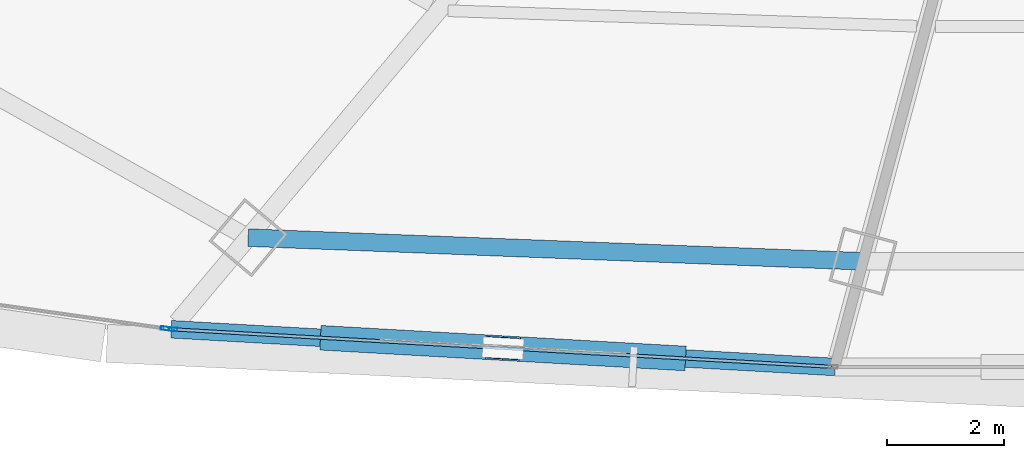
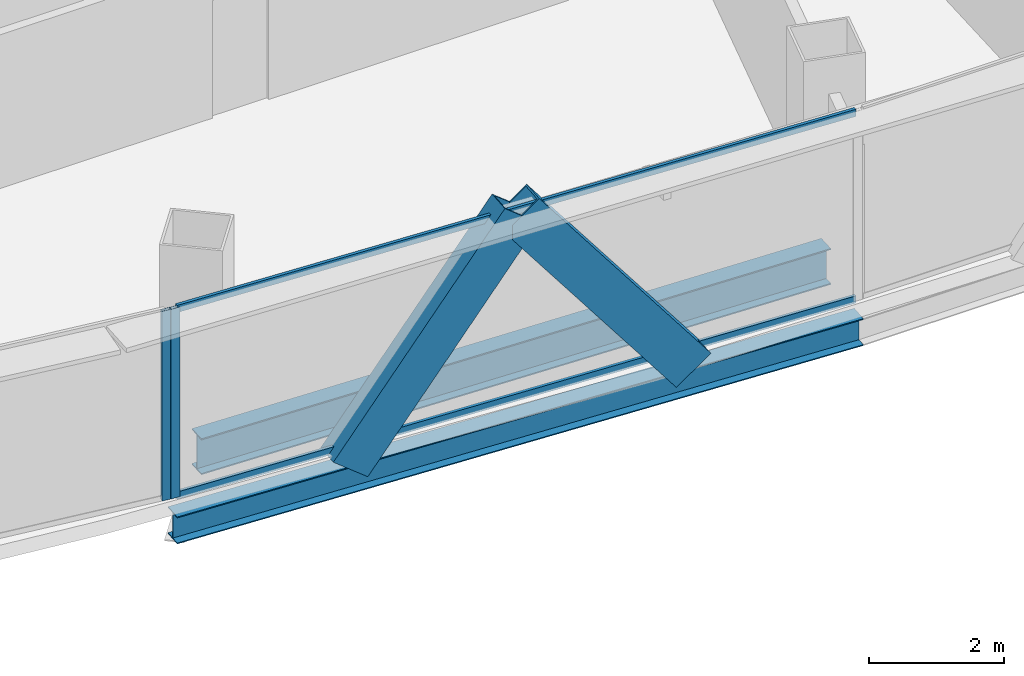
# One storey, part 6 of 42: 6 members, 2 beams, 2 elements without a shape of their own.
"""IFC4 building model written with IfcOpenShell, lengths in metres."""

from ifc_helpers import new_model, si_unit, direction, frame, origin, origin_2d, place, context, subcontext, project, spatial, hollow_rectangle, i_section, extrude, source, transform, mapped, material, layer, layer_set, material_profile, profile_set, type_object, element, aggregate, save


model = new_model("IFC4")

# Units and contexts
model_context = context("Model", 3, precision=1e-05, world=origin(), true_north=direction((0.0, 1.0)))
body_context = subcontext(model_context, "Body", "Model", "MODEL_VIEW")
ifc_project = project(units=[si_unit("LENGTHUNIT", "METRE"), si_unit("AREAUNIT", "SQUARE_METRE"), si_unit("VOLUMEUNIT", "CUBIC_METRE"), si_unit("PLANEANGLEUNIT", "RADIAN"), si_unit("MASSUNIT", "GRAM", prefix="KILO"), si_unit("THERMODYNAMICTEMPERATUREUNIT", "KELVIN"), si_unit("POWERUNIT", "WATT")], contexts=[model_context])

# Site, building, storey
site_placement = place(None, origin())
site = spatial("IfcSite", under=ifc_project, at=site_placement, CompositionType="ELEMENT")
building_placement = place(site_placement, origin())
building = spatial("IfcBuilding", under=site, at=building_placement, Name="Yunzhuo Pagoda Commons", CompositionType="ELEMENT")
storey_placement = place(building_placement, frame((0.0, 0.0, 133.510009765625)))
storey = spatial("IfcBuildingStorey", under=building, at=storey_placement, Name="L33", CompositionType="ELEMENT", Elevation=133.510009765625)

# Beams
ifc_material_1 = material(Name="Structural steel Q355B", Category="steel")
ifc_material_profile_1 = material_profile(ifc_material_1, i_section(OverallWidth=0.300048828125, OverallDepth=0.488037109375, WebThickness=0.010986328125, FlangeThickness=0.01806640625, at=origin_2d()), Name="Structural steel Q355B")
ifc_profile_set_1 = profile_set([ifc_material_profile_1], Name="Structural steel Q355B")
beam_type_1 = type_object("IfcBeamType", Name="B-SP1 Beam HM 488x300x11x18", PredefinedType="BEAM", material=ifc_profile_set_1)
shared_shape_1 = source(origin(), body_context, "Body", "SweptSolid", [
    extrude(i_section(OverallWidth=0.300048828125, OverallDepth=0.488037109375, WebThickness=0.010986328125, FlangeThickness=0.01806640625, at=origin_2d()), origin(), (0.0, 0.0, 1.0), 11.34814453125),
])
beam_1_placement = place(storey_placement, frame((31.101806640625, 13.561279296875, -0.503662109375), z_axis=(0.998390672401, -0.056710362929, 0.0), x_axis=(0.056710362929, 0.998390672401, 0.0)))
element("IfcBeam", 1, at=beam_1_placement, inside=storey, type_object=beam_type_1, Name="L33 facade edge spandrel beam F1.1", PredefinedType="BEAM", context=body_context, shape_type="MappedRepresentation", body=[
    mapped(shared_shape_1, transform((0.0, 0.0, 0.0), scale=1.0)),
])
ifc_material_profile_2 = material_profile(ifc_material_1, i_section(OverallWidth=0.300048828125, OverallDepth=0.64990234375, WebThickness=0.012939453125, FlangeThickness=0.02197265625, at=origin_2d()), Name="Structural steel Q355B")
ifc_profile_set_2 = profile_set([ifc_material_profile_2], Name="Structural steel Q355B")
beam_type_2 = type_object("IfcBeamType", Name="B-RG2 Beam HN 650x300x13x22", PredefinedType="BEAM", material=ifc_profile_set_2)
shared_shape_2 = source(origin(), body_context, "Body", "SweptSolid", [
    extrude(i_section(OverallWidth=0.300048828125, OverallDepth=0.64990234375, WebThickness=0.012939453125, FlangeThickness=0.02197265625, at=origin_2d()), origin(), (0.0, 0.0, 1.0), 10.5078125),
])
beam_2_placement = place(storey_placement, frame((32.414794921875, 15.126220703125, -0.5849609375), z_axis=(0.999258632812, -0.03849915259, 0.0), x_axis=(0.03849915259, 0.999258632812, 0.0)))
element("IfcBeam", 2, at=beam_2_placement, inside=storey, type_object=beam_type_2, Name="L33 column-ring beam 1", PredefinedType="BEAM", context=body_context, shape_type="MappedRepresentation", body=[
    mapped(shared_shape_2, transform((0.0, 0.0, 0.0), scale=1.0)),
])

# Members
ifc_material_2 = material(Name="Structural steel Q420B", Category="steel")
ifc_material_profile_3 = material_profile(ifc_material_2, hollow_rectangle(XDim=0.419921875, YDim=0.719970703125, WallThickness=0.028076171875, at=origin_2d()), Name="Structural steel Q420B")
ifc_profile_set_3 = profile_set([ifc_material_profile_3], Name="Structural steel Q420B")
member_type_1 = type_object("IfcMemberType", Name="M-DL1 Brace BOX 720x420x28", PredefinedType="BRACE", material=ifc_profile_set_3)
shared_shape_3 = source(origin(), body_context, "Body", "SweptSolid", [
    extrude(hollow_rectangle(XDim=0.419921875, YDim=0.719970703125, WallThickness=0.028076171875, at=origin_2d()), origin(), (0.0, 0.0, 1.0), 4.646484375),
])
for number, where, z_axis, x_axis, name in (
    (3, (33.93408203125, 13.400390625, -0.260009765625), (0.609588896709, -0.0346249856, 0.791961165324), (0.056709144864, 0.998390741588, 0.0), "L33 facade diamond brace F1.1L"),
    (4, (39.598876953125, 13.07861328125, -0.260009765625), (-0.609555877841, 0.034626094604, 0.791986531049), (-0.056714017439, -0.998390464811, 0.0), "L33 facade diamond brace F1.1R"),
):
    element("IfcMember", number, at=place(storey_placement, frame(where, z_axis=z_axis, x_axis=x_axis)), inside=storey, type_object=member_type_1, Name=name, PredefinedType="BRACE", context=body_context, shape_type="MappedRepresentation", body=[
        mapped(shared_shape_3, transform((0.0, 0.0, 0.0), scale=1.0)),
    ])

# Curtain wall, member
ifc_material_3 = material(Name="Anodized aluminium 6063-T6", Category="aluminium")
ifc_layer = layer(ifc_material_3, 0.14990234375)
ifc_layer_set = layer_set([ifc_layer], Name="Anodized aluminium 6063-T6")
curtain_wall_type = type_object("IfcCurtainWallType", Name="CW-MID Mid-Zone Ribbon Curtain Wall", PredefinedType="NOTDEFINED", material=ifc_layer_set)
curtain_wall_1_placement = place(storey_placement, origin())
curtain_wall_1 = element("IfcCurtainWall", 5, at=curtain_wall_1_placement, inside=storey, type_object=curtain_wall_type, Name="L33 curtain wall CW-L33-F1B2", PredefinedType="NOTDEFINED")
ifc_material_profile_4 = material_profile(ifc_material_3, hollow_rectangle(XDim=0.06005859375, YDim=0.14990234375, WallThickness=0.00390625, at=origin_2d()), Name="Anodized aluminium 6063-T6")
ifc_profile_set_4 = profile_set([ifc_material_profile_4], Name="Anodized aluminium 6063-T6")
member_type_2 = type_object("IfcMemberType", Name="CW-MID-M Mullion RHS 150x60x4", PredefinedType="MULLION", material=ifc_profile_set_4)
shared_shape_4 = source(origin(), body_context, "Body", "SweptSolid", [
    extrude(hollow_rectangle(XDim=0.06005859375, YDim=0.14990234375, WallThickness=0.00390625, at=origin_2d()), origin(), (0.0, 0.0, 1.0), 3.419921875),
])
member_1_placement = place(storey_placement, frame((31.131591796875, 13.56005859375, 0.0), z_axis=(0.0, 0.0, 1.0), x_axis=(0.056741862165, 0.99838888269, 0.0)))
member_1 = element("IfcMember", 6, at=member_1_placement, type_object=member_type_2, Name="CW mullion 1", PredefinedType="MULLION", context=body_context, shape_type="MappedRepresentation", body=[
    mapped(shared_shape_4, transform((0.0, 0.0, 0.0), scale=1.0)),
])

curtain_wall_2_placement = place(storey_placement, origin())
curtain_wall_2 = element("IfcCurtainWall", 7, at=curtain_wall_2_placement, inside=storey, type_object=curtain_wall_type, Name="L33 curtain wall CW-L33-F1B1", PredefinedType="NOTDEFINED")
member_2_placement = place(storey_placement, frame((30.997802734375, 13.576171875, 0.0), z_axis=(0.0, 0.0, 1.0), x_axis=(0.140026939768, 0.990147694104, 0.0)))
member_2 = element("IfcMember", 8, at=member_2_placement, type_object=member_type_2, Name="CW mullion 2", PredefinedType="MULLION", context=body_context, shape_type="MappedRepresentation", body=[
    mapped(shared_shape_4, transform((0.0, 0.0, 0.0), scale=1.0)),
])
aggregate(curtain_wall_2, [member_2])

# Member
ifc_material_profile_5 = material_profile(ifc_material_3, hollow_rectangle(XDim=0.054931640625, YDim=0.1298828125, WallThickness=0.00341796875, at=origin_2d()), Name="Anodized aluminium 6063-T6")
ifc_profile_set_5 = profile_set([ifc_material_profile_5], Name="Anodized aluminium 6063-T6")
member_type_3 = type_object("IfcMemberType", Name="CW-MID-T Transom RHS 130x55x3.5", PredefinedType="USERDEFINED", material=ifc_profile_set_5)
shared_shape_5 = source(origin(), body_context, "Body", "SweptSolid", [
    extrude(hollow_rectangle(XDim=0.054931640625, YDim=0.1298828125, WallThickness=0.00341796875, at=origin_2d()), origin(), (0.0, 0.0, 1.0), 11.227783203125),
])
member_3_placement = place(storey_placement, frame((31.16162109375, 13.558349609375, 0.027587890625), z_axis=(0.998387042838, -0.056774225609, 0.0), x_axis=(0.056774225609, 0.998387042838, 0.0)))
member_3 = element("IfcMember", 9, at=member_3_placement, type_object=member_type_3, Name="CW transom 1.1", ObjectType="TRANSOM", PredefinedType="USERDEFINED", context=body_context, shape_type="MappedRepresentation", body=[
    mapped(shared_shape_5, transform((0.0, 0.0, 0.0), scale=1.0)),
])

member_4_placement = place(storey_placement, frame((31.16162109375, 13.558349609375, 3.392578125), z_axis=(0.998387042838, -0.056774225609, 0.0), x_axis=(0.056774225609, 0.998387042838, 0.0)))
member_4 = element("IfcMember", 10, at=member_4_placement, type_object=member_type_3, Name="CW transom 1.2", ObjectType="TRANSOM", PredefinedType="USERDEFINED", context=body_context, shape_type="MappedRepresentation", body=[
    mapped(shared_shape_5, transform((0.0, 0.0, 0.0), scale=1.0)),
])

aggregate(curtain_wall_1, [member_1, member_3, member_4])

save(model, "model.ifc")
